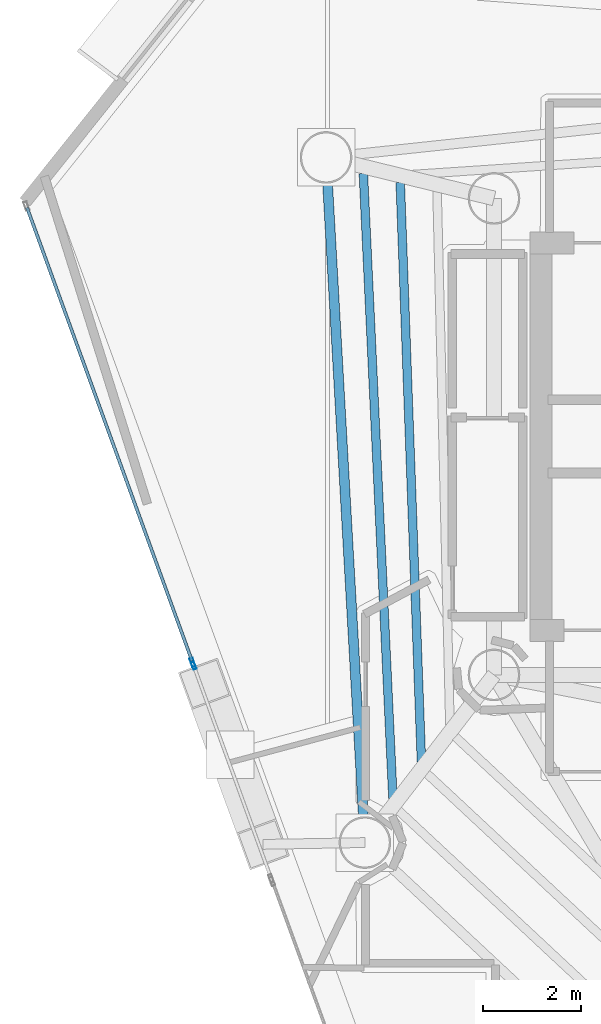
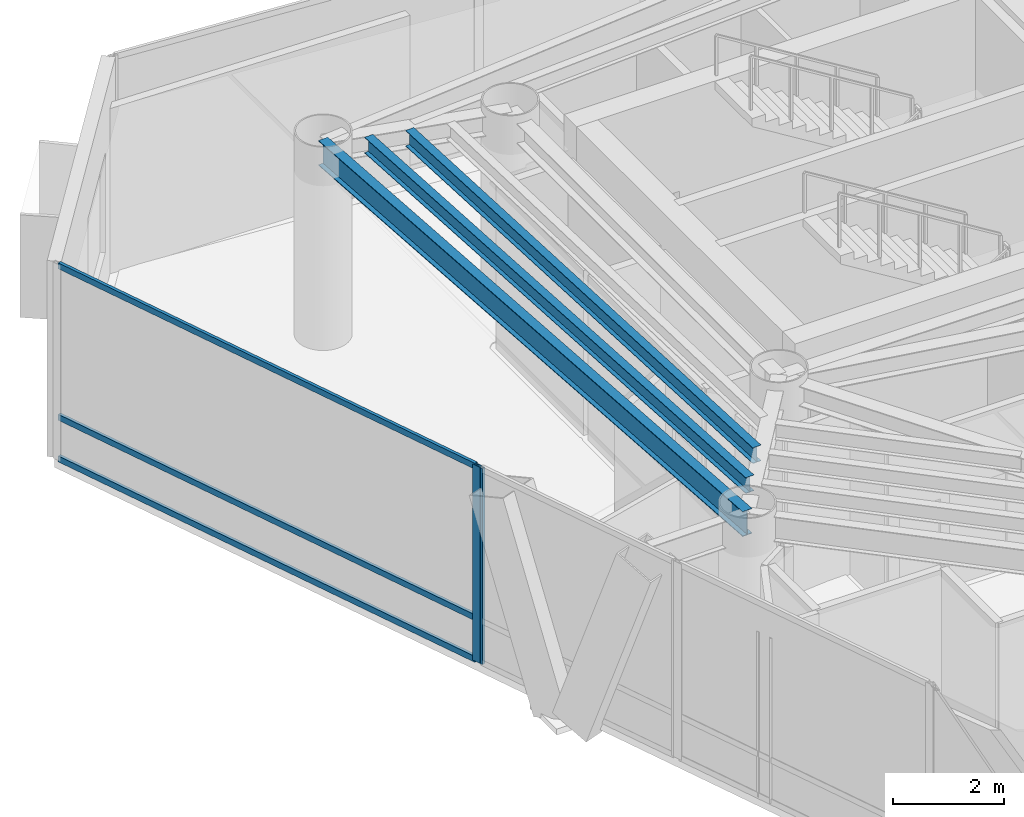
# One storey, part 8 of 21: 5 members, 3 beams, 2 elements without a shape of their own.
"""IFC4 building model written with IfcOpenShell, lengths in metres."""

import ifcopenshell
import ifcopenshell.guid

model = None  # the IFC model being written
_history = None  # IfcOwnerHistory: only IFC2X3 demands one
_inside = {}  # id of a spatial element -> (the spatial element, [elements in it])
_under = {}  # id of a project, library or spatial element -> (it, [spatial elements below it])
_declared = {}  # id of a project -> (the project, [libraries it declares])
_typed = {}  # id of a type object -> (the type object, [elements of that type])
_made_of = {}  # id of a material, layer set ... -> (it, [elements and type objects made of it])


def new_model(schema):
    """Start an empty IFC model of exactly this schema.

    Asked for "IFC4X3", IfcOpenShell would pick the latest addendum, in which some entities
    have other attributes; the version numbers below select the first issue.
    IFC2X3 requires an IfcOwnerHistory on every rooted entity: one is made here for all.
    """
    global model, _history
    if schema == "IFC4X3":
        model = ifcopenshell.file(schema_version=(4, 3, 0, 0))
    else:
        model = ifcopenshell.file(schema=schema)
    _inside.clear()
    _under.clear()
    _declared.clear()
    _typed.clear()
    _made_of.clear()
    _history = None
    if model.schema == "IFC2X3":
        org = make("IfcOrganization", Name="unknown")
        user = make(
            "IfcPersonAndOrganization",
            ThePerson=make("IfcPerson", FamilyName="unknown"),
            TheOrganization=org,
        )
        app = make(
            "IfcApplication",
            ApplicationDeveloper=org,
            Version="unknown",
            ApplicationFullName="unknown",
            ApplicationIdentifier="unknown",
        )
        _history = make(
            "IfcOwnerHistory",
            OwningUser=user,
            OwningApplication=app,
            ChangeAction="ADDED",
            CreationDate=0,
        )
    return model


def make(cls, **values):
    """One entity of the class cls with the attributes given. An attribute that is None is left unset."""
    return model.create_entity(
        cls, **{name: value for name, value in values.items() if value is not None}
    )


def rooted(cls, **values):
    """An entity with a GlobalId (a new one), such as an element, a storey or a relation."""
    return make(cls, GlobalId=ifcopenshell.guid.new(), OwnerHistory=_history, **values)


def si_unit(unit_type, name, prefix=None):
    """IfcSIUnit, for example si_unit("LENGTHUNIT", "METRE", prefix="MILLI")."""
    return make("IfcSIUnit", UnitType=unit_type, Prefix=prefix, Name=name)


def assignment(units):
    """IfcUnitAssignment: the units of a project."""
    return None if units is None else make("IfcUnitAssignment", Units=units)


def point(xyz):
    """IfcCartesianPoint."""
    return None if xyz is None else make("IfcCartesianPoint", Coordinates=xyz)


def direction(xyz):
    """IfcDirection."""
    return None if xyz is None else make("IfcDirection", DirectionRatios=xyz)


def frame(location, z_axis=None, x_axis=None):
    """IfcAxis2Placement3D, a coordinate frame: its origin and axes. An axis left out is left unset."""
    return make(
        "IfcAxis2Placement3D",
        Location=point(location),
        Axis=direction(z_axis),
        RefDirection=direction(x_axis),
    )


def frame_2d(location, x_axis=None):
    """IfcAxis2Placement2D, a coordinate frame in the plane: its origin and x axis."""
    return make(
        "IfcAxis2Placement2D", Location=point(location), RefDirection=direction(x_axis)
    )


def origin():
    """The frame at (0, 0, 0) with its axes left unset."""
    return frame((0.0, 0.0, 0.0))


def origin_2d():
    """The frame at (0, 0) in the plane with its x axis left unset."""
    return frame_2d((0.0, 0.0))


def place(relative_to, where):
    """IfcLocalPlacement: puts the frame where relative to a parent placement (None: the world)."""
    return make(
        "IfcLocalPlacement", PlacementRelTo=relative_to, RelativePlacement=where
    )


def context(
    kind, dimensions, precision=None, world=None, true_north=None, identifier=None
):
    """IfcGeometricRepresentationContext, for example the 3D "Model" context."""
    return make(
        "IfcGeometricRepresentationContext",
        ContextIdentifier=identifier,
        ContextType=kind,
        CoordinateSpaceDimension=dimensions,
        Precision=precision,
        WorldCoordinateSystem=world,
        TrueNorth=true_north,
    )


def subcontext(parent, identifier, kind, view, scale=None):
    """IfcGeometricRepresentationSubContext, for example "Body" below "Model"."""
    return make(
        "IfcGeometricRepresentationSubContext",
        ContextIdentifier=identifier,
        ContextType=kind,
        ParentContext=parent,
        TargetScale=scale,
        TargetView=view,
    )


def project(units=None, contexts=None):
    """IfcProject with its units and contexts."""
    return rooted(
        "IfcProject",
        Name="project",
        RepresentationContexts=contexts,
        UnitsInContext=assignment(units),
    )


def spatial(cls, under=None, at=None, **own):
    """A site, building, storey or space (cls), placed at a placement, below another one or the project."""
    s = rooted(cls, ObjectPlacement=at, **own)
    if under is not None:
        _under.setdefault(under.id(), (under, []))[1].append(s)
    return s


def profile(cls, at=None, kind="AREA", **sizes):
    """A parametric profile (cls). Its sizes go by their IFC names, for example OverallWidth=200.0."""
    return make(cls, ProfileType=kind, Position=at, **sizes)


def hollow_rectangle(**sizes):
    """IfcRectangleHollowProfileDef."""
    return profile("IfcRectangleHollowProfileDef", **sizes)


def i_section(**sizes):
    """IfcIShapeProfileDef."""
    return profile("IfcIShapeProfileDef", **sizes)


def extrude(swept, where, along, depth):
    """IfcExtrudedAreaSolid: the profile swept, set in the frame where, extruded along a direction by depth."""
    return make(
        "IfcExtrudedAreaSolid",
        SweptArea=swept,
        Position=where,
        ExtrudedDirection=direction(along),
        Depth=depth,
    )


def shape(context_of_items, identifier, shape_type, items):
    """IfcShapeRepresentation: the items that make up one representation, for example the "Body"."""
    return make(
        "IfcShapeRepresentation",
        ContextOfItems=context_of_items,
        RepresentationIdentifier=identifier,
        RepresentationType=shape_type,
        Items=items,
    )


def material(Name=None, Category=None):
    """IfcMaterial."""
    return make("IfcMaterial", Name=Name, Category=Category)


def layer(
    of_material, thickness, ventilated=None, Name=None, Category=None, Priority=None
):
    """IfcMaterialLayer: one layer of a wall or slab, of a material (None: an air gap)."""
    return make(
        "IfcMaterialLayer",
        Material=of_material,
        LayerThickness=thickness,
        IsVentilated=ventilated,
        Name=Name,
        Category=Category,
        Priority=Priority,
    )


def layer_set(layers, Name=None):
    """IfcMaterialLayerSet."""
    return make("IfcMaterialLayerSet", MaterialLayers=layers, LayerSetName=Name)


def material_profile(
    of_material, cross_section, Name=None, Category=None, Priority=None
):
    """IfcMaterialProfile: a cross section and its material."""
    return make(
        "IfcMaterialProfile",
        Name=Name,
        Material=of_material,
        Profile=cross_section,
        Priority=Priority,
        Category=Category,
    )


def profile_set(profiles, Name=None, composite=None):
    """IfcMaterialProfileSet."""
    return make(
        "IfcMaterialProfileSet",
        Name=Name,
        MaterialProfiles=profiles,
        CompositeProfile=composite,
    )


def made_of(thing, what):
    """Note that an element or type object is made of a material, layer set ...; save() writes the relation."""
    if what is not None:
        _made_of.setdefault(what.id(), (what, []))[1].append(thing)
    return thing


def type_object(cls, material=None, **own):
    """A type object (cls), such as IfcWallType, which elements share."""
    return made_of(rooted(cls, **own), material)


def element(
    cls,
    number,
    at=None,
    inside=None,
    cuts=None,
    type_object=None,
    material=None,
    context=None,
    identifier="Body",
    shape_type=None,
    held_by="IfcProductDefinitionShape",
    body=None,
    shapes=None,
    **own,
):
    """One element of the class cls, such as IfcWall. Its Tag is "e" and its number.

    at: its placement. inside: the storey or other place that contains it. cuts: it is an
    opening in that element (IfcRelVoidsElement). A single representation is given by context,
    identifier, shape_type and body (its items); several are given by shapes. held_by: the class
    of the entity that holds the representations. save() writes the other relations.
    """
    e = rooted(cls, Tag="e%d" % number, ObjectPlacement=at, **own)
    if body is not None:
        shapes = [shape(context, identifier, shape_type, body)]
    if shapes is not None:
        e.Representation = make(held_by, Representations=shapes)
    if inside is not None:
        _inside.setdefault(inside.id(), (inside, []))[1].append(e)
    if cuts is not None:
        rooted(
            "IfcRelVoidsElement", RelatingBuildingElement=cuts, RelatedOpeningElement=e
        )
    if type_object is not None:
        _typed.setdefault(type_object.id(), (type_object, []))[1].append(e)
    return made_of(e, material)


def aggregate(whole, parts):
    """IfcRelAggregates: a whole, such as a stair, and the parts it consists of."""
    return rooted("IfcRelAggregates", RelatingObject=whole, RelatedObjects=parts)


def save(model, path):
    """Write the relations noted so far, then the file.

    IfcRelAggregates (storeys below a building ...), IfcRelContainedInSpatialStructure (elements
    in a storey), IfcRelDefinesByType, IfcRelAssociatesMaterial and IfcRelDeclares: one each for
    every whole, place, type object, material and project.
    """
    for whole, parts in _under.values():
        aggregate(whole, parts)
    for where, things in _inside.values():
        rooted(
            "IfcRelContainedInSpatialStructure",
            RelatedElements=things,
            RelatingStructure=where,
        )
    for kind, things in _typed.values():
        rooted("IfcRelDefinesByType", RelatedObjects=things, RelatingType=kind)
    for what, things in _made_of.values():
        rooted("IfcRelAssociatesMaterial", RelatedObjects=things, RelatingMaterial=what)
    for by, libraries in _declared.values():
        rooted("IfcRelDeclares", RelatingContext=by, RelatedDefinitions=libraries)
    model.write(path)


model = new_model("IFC4")

# Units and contexts
model_context = context("Model", 3, precision=1e-05, world=origin(), true_north=direction((0.0, 1.0)))
body_context = subcontext(model_context, "Body", "Model", "MODEL_VIEW")
ifc_project = project(units=[si_unit("LENGTHUNIT", "METRE"), si_unit("AREAUNIT", "SQUARE_METRE"), si_unit("VOLUMEUNIT", "CUBIC_METRE"), si_unit("PLANEANGLEUNIT", "RADIAN"), si_unit("MASSUNIT", "GRAM", prefix="KILO")], contexts=[model_context])

# Site, building, storey
site_placement = place(None, origin())
site = spatial("IfcSite", under=ifc_project, at=site_placement, CompositionType="ELEMENT")
building_placement = place(site_placement, origin())
building = spatial("IfcBuilding", under=site, at=building_placement, Name="Qianvela Tower", CompositionType="ELEMENT")
storey_placement = place(building_placement, frame((0.0, 0.0, 234.5)))
storey = spatial("IfcBuildingStorey", under=building, at=storey_placement, Name="L60", CompositionType="ELEMENT", Elevation=234.5)

# Beams
ifc_material_1 = material(Name="Steel Q355B", Category="steel")
ifc_material_profile_1 = material_profile(ifc_material_1, i_section(OverallWidth=0.175048828125, OverallDepth=0.35009765625, WebThickness=0.007080078125, FlangeThickness=0.010986328125, at=origin_2d()), Name="HN350x175x7x11")
ifc_profile_set_1 = profile_set([ifc_material_profile_1], Name="Steel Q355B")
beam_type_1 = type_object("IfcBeamType", Name="BM-HN350-JOIST", PredefinedType="JOIST", material=ifc_profile_set_1)
beam_1_placement = place(storey_placement, frame((26.69140625, 33.87109375, 4.14306640625), z_axis=(0.036597460417, -0.999330088555, 0.0), x_axis=(0.999330088555, 0.036597460417, 0.0)))
element("IfcBeam", 1, at=beam_1_placement, inside=storey, type_object=beam_type_1, Name="L60 Secondary Composite Floor Joist 3.2", PredefinedType="JOIST", context=body_context, shape_type="SweptSolid", body=[
    extrude(i_section(OverallWidth=0.175048828125, OverallDepth=0.35009765625, WebThickness=0.007080078125, FlangeThickness=0.010986328125, at=origin_2d()), origin(), (0.0, 0.0, 1.0), 11.794189453125),
])
beam_2_placement = place(storey_placement, frame((25.94091796875, 34.0546875, 4.14306640625), z_axis=(0.04729372403, -0.998881025782, 0.0), x_axis=(0.998881025782, 0.04729372403, 0.0)))
element("IfcBeam", 2, at=beam_2_placement, inside=storey, type_object=beam_type_1, Name="L60 Secondary Composite Floor Joist 3.3", PredefinedType="JOIST", context=body_context, shape_type="SweptSolid", body=[
    extrude(i_section(OverallWidth=0.175048828125, OverallDepth=0.35009765625, WebThickness=0.007080078125, FlangeThickness=0.010986328125, at=origin_2d()), origin(), (0.0, 0.0, 1.0), 12.735107421875),
])
ifc_material_2 = material(Name="Steel Q355B", Category="steel")
ifc_material_profile_2 = material_profile(ifc_material_2, i_section(OverallWidth=0.199951171875, OverallDepth=0.550048828125, WebThickness=0.010009765625, FlangeThickness=0.01611328125, at=origin_2d()), Name="HN550x200x10x16")
ifc_profile_set_2 = profile_set([ifc_material_profile_2], Name="Steel Q355B")
beam_type_2 = type_object("IfcBeamType", Name="BM-HN550-GIRD", PredefinedType="BEAM", material=ifc_profile_set_2)
beam_3_placement = place(storey_placement, frame((25.181884765625, 34.384033203125, 4.04296875), z_axis=(0.056555056691, -0.998399481952, 0.0), x_axis=(0.998399481952, 0.056555056691, 0.0)))
element("IfcBeam", 3, at=beam_3_placement, inside=storey, type_object=beam_type_2, Name="L60 Perimeter Ring Spandrel Girder 3", PredefinedType="BEAM", context=body_context, shape_type="SweptSolid", body=[
    extrude(i_section(OverallWidth=0.199951171875, OverallDepth=0.550048828125, WebThickness=0.010009765625, FlangeThickness=0.01611328125, at=origin_2d()), origin(), (0.0, 0.0, 1.0), 13.969482421875),
])

# Curtain wall, member
ifc_material_3 = material(Name="Anodised Architectural Aluminium and Insulated Spandrel Panel", Category="aluminium")
ifc_layer_1 = layer(ifc_material_3, 0.179931640625)
ifc_layer_set_1 = layer_set([ifc_layer_1], Name="Anodised Architectural Aluminium and Insulated Spandrel Panel")
curtain_wall_type_1 = type_object("IfcCurtainWallType", Name="CW-BRACEBAY", PredefinedType="USERDEFINED", material=ifc_layer_set_1)
curtain_wall_1_placement = place(storey_placement, origin())
curtain_wall_1 = element("IfcCurtainWall", 4, at=curtain_wall_1_placement, inside=storey, type_object=curtain_wall_type_1, Name="L60 CW-BRACEBAY Curtain Wall 04B", ObjectType="CURTAIN_WALL_SYSTEM", PredefinedType="USERDEFINED")
ifc_material_4 = material(Name="Anodised Architectural Aluminium 6063-T6", Category="aluminium")
ifc_material_profile_3 = material_profile(ifc_material_4, hollow_rectangle(XDim=0.06494140625, YDim=0.159912109375, WallThickness=0.0048828125, at=origin_2d()), Name="ALU-MULL-65x160")
ifc_profile_set_3 = profile_set([ifc_material_profile_3], Name="Anodised Architectural Aluminium 6063-T6")
member_type_1 = type_object("IfcMemberType", Name="CW-BRACEBAY-MULL", PredefinedType="MULLION", material=ifc_profile_set_3)
member_1_placement = place(storey_placement, frame((22.487548828125, 24.037841796875, 0.0), z_axis=(0.0, 0.0, 1.0), x_axis=(0.939695853663, 0.342011260937, 0.0)))
member_1 = element("IfcMember", 5, at=member_1_placement, type_object=member_type_1, Name="CW-9 mullion 1", PredefinedType="MULLION", context=body_context, shape_type="SweptSolid", body=[
    extrude(hollow_rectangle(XDim=0.06494140625, YDim=0.159912109375, WallThickness=0.0048828125, at=origin_2d()), origin(), (0.0, 0.0, 1.0), 4.320068359375),
])
aggregate(curtain_wall_1, [member_1])

# Curtain wall, members
ifc_material_5 = material(Name="Anodised Architectural Aluminium and Low-E Glass", Category="aluminium")
ifc_layer_2 = layer(ifc_material_5, 0.18994140625)
ifc_layer_set_2 = layer_set([ifc_layer_2], Name="Anodised Architectural Aluminium and Low-E Glass")
curtain_wall_type_2 = type_object("IfcCurtainWallType", Name="CW-SKYLOBBY", PredefinedType="USERDEFINED", material=ifc_layer_set_2)
curtain_wall_2_placement = place(storey_placement, origin())
curtain_wall_2 = element("IfcCurtainWall", 6, at=curtain_wall_2_placement, inside=storey, type_object=curtain_wall_type_2, Name="L60 CW-SKYLOBBY Curtain Wall 04A", ObjectType="CURTAIN_WALL_SYSTEM", PredefinedType="USERDEFINED")
ifc_material_6 = material(Name="Anodised Architectural Aluminium 6063-T6", Category="aluminium")
ifc_material_profile_4 = material_profile(ifc_material_6, hollow_rectangle(XDim=0.070068359375, YDim=0.179931640625, WallThickness=0.0048828125, at=origin_2d()), Name="ALU-MULL-70x180")
ifc_profile_set_4 = profile_set([ifc_material_profile_4], Name="Anodised Architectural Aluminium 6063-T6")
member_type_2 = type_object("IfcMemberType", Name="CW-SKYLOBBY-MULL", PredefinedType="MULLION", material=ifc_profile_set_4)
member_2_placement = place(storey_placement, frame((22.464599609375, 24.101318359375, 0.0), z_axis=(0.0, 0.0, 1.0), x_axis=(0.939692834197, 0.342019556983, 0.0)))
member_2 = element("IfcMember", 7, at=member_2_placement, type_object=member_type_2, Name="CW-7 mullion 2", PredefinedType="MULLION", context=body_context, shape_type="SweptSolid", body=[
    extrude(hollow_rectangle(XDim=0.070068359375, YDim=0.179931640625, WallThickness=0.0048828125, at=origin_2d()), origin(), (0.0, 0.0, 1.0), 4.320068359375),
])
ifc_material_7 = material(Name="Anodised Architectural Aluminium 6063-T6", Category="aluminium")
ifc_material_profile_5 = material_profile(ifc_material_7, hollow_rectangle(XDim=0.06494140625, YDim=0.1298828125, WallThickness=0.00439453125, at=origin_2d()), Name="ALU-TRAN-65x130")
ifc_profile_set_5 = profile_set([ifc_material_profile_5], Name="Anodised Architectural Aluminium 6063-T6")
member_type_3 = type_object("IfcMemberType", Name="CW-SKYLOBBY-TRAN", PredefinedType="USERDEFINED", material=ifc_profile_set_5)
member_3_placement = place(storey_placement, frame((19.093994140625, 33.36181640625, 0.032470703125), z_axis=(0.342028508283, -0.939689576148, 0.0), x_axis=(0.939689576148, 0.342028508283, 0.0)))
member_3 = element("IfcMember", 8, at=member_3_placement, type_object=member_type_3, Name="CW-7 transom 1.1", ObjectType="TRANSOM", PredefinedType="USERDEFINED", context=body_context, shape_type="SweptSolid", body=[
    extrude(hollow_rectangle(XDim=0.06494140625, YDim=0.1298828125, WallThickness=0.00439453125, at=origin_2d()), origin(), (0.0, 0.0, 1.0), 9.81982421875),
])
member_4_placement = place(storey_placement, frame((19.093994140625, 33.36181640625, 0.949951171875), z_axis=(0.342028508283, -0.939689576148, 0.0), x_axis=(0.939689576148, 0.342028508283, 0.0)))
member_4 = element("IfcMember", 9, at=member_4_placement, type_object=member_type_3, Name="CW-7 transom 1.2", ObjectType="TRANSOM", PredefinedType="USERDEFINED", context=body_context, shape_type="SweptSolid", body=[
    extrude(hollow_rectangle(XDim=0.06494140625, YDim=0.1298828125, WallThickness=0.00439453125, at=origin_2d()), origin(), (0.0, 0.0, 1.0), 9.81982421875),
])
member_5_placement = place(storey_placement, frame((19.093994140625, 33.36181640625, 4.28759765625), z_axis=(0.342028508283, -0.939689576148, 0.0), x_axis=(0.939689576148, 0.342028508283, 0.0)))
member_5 = element("IfcMember", 10, at=member_5_placement, type_object=member_type_3, Name="CW-7 transom 1.3", ObjectType="TRANSOM", PredefinedType="USERDEFINED", context=body_context, shape_type="SweptSolid", body=[
    extrude(hollow_rectangle(XDim=0.06494140625, YDim=0.1298828125, WallThickness=0.00439453125, at=origin_2d()), origin(), (0.0, 0.0, 1.0), 9.81982421875),
])
aggregate(curtain_wall_2, [member_2, member_3, member_4, member_5])

save(model, "model.ifc")
